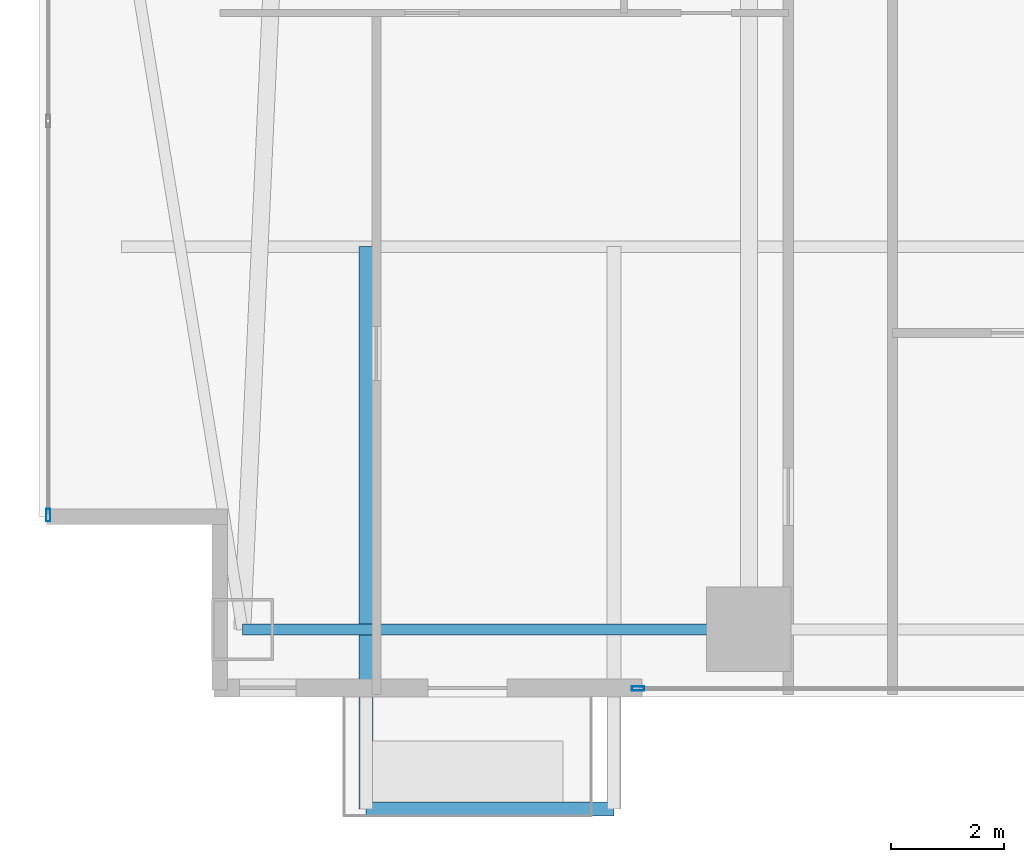
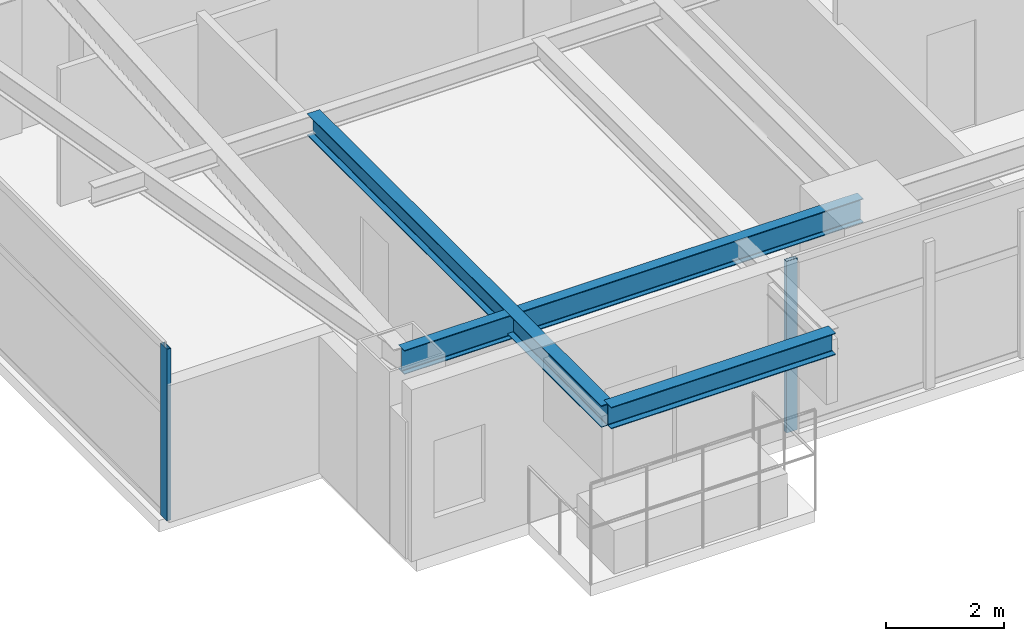
# One storey, part 2 of 30: 3 beams, 2 members, 2 elements without a shape of their own.
"""IFC4 building model written with IfcOpenShell, lengths in metres."""

import ifcopenshell
import ifcopenshell.guid

model = None  # the IFC model being written
_history = None  # IfcOwnerHistory: only IFC2X3 demands one
_inside = {}  # id of a spatial element -> (the spatial element, [elements in it])
_under = {}  # id of a project, library or spatial element -> (it, [spatial elements below it])
_declared = {}  # id of a project -> (the project, [libraries it declares])
_typed = {}  # id of a type object -> (the type object, [elements of that type])
_made_of = {}  # id of a material, layer set ... -> (it, [elements and type objects made of it])


def new_model(schema):
    """Start an empty IFC model of exactly this schema.

    Asked for "IFC4X3", IfcOpenShell would pick the latest addendum, in which some entities
    have other attributes; the version numbers below select the first issue.
    IFC2X3 requires an IfcOwnerHistory on every rooted entity: one is made here for all.
    """
    global model, _history
    if schema == "IFC4X3":
        model = ifcopenshell.file(schema_version=(4, 3, 0, 0))
    else:
        model = ifcopenshell.file(schema=schema)
    _inside.clear()
    _under.clear()
    _declared.clear()
    _typed.clear()
    _made_of.clear()
    _history = None
    if model.schema == "IFC2X3":
        org = make("IfcOrganization", Name="unknown")
        user = make(
            "IfcPersonAndOrganization",
            ThePerson=make("IfcPerson", FamilyName="unknown"),
            TheOrganization=org,
        )
        app = make(
            "IfcApplication",
            ApplicationDeveloper=org,
            Version="unknown",
            ApplicationFullName="unknown",
            ApplicationIdentifier="unknown",
        )
        _history = make(
            "IfcOwnerHistory",
            OwningUser=user,
            OwningApplication=app,
            ChangeAction="ADDED",
            CreationDate=0,
        )
    return model


def make(cls, **values):
    """One entity of the class cls with the attributes given. An attribute that is None is left unset."""
    return model.create_entity(
        cls, **{name: value for name, value in values.items() if value is not None}
    )


def rooted(cls, **values):
    """An entity with a GlobalId (a new one), such as an element, a storey or a relation."""
    return make(cls, GlobalId=ifcopenshell.guid.new(), OwnerHistory=_history, **values)


def si_unit(unit_type, name, prefix=None):
    """IfcSIUnit, for example si_unit("LENGTHUNIT", "METRE", prefix="MILLI")."""
    return make("IfcSIUnit", UnitType=unit_type, Prefix=prefix, Name=name)


def assignment(units):
    """IfcUnitAssignment: the units of a project."""
    return None if units is None else make("IfcUnitAssignment", Units=units)


def point(xyz):
    """IfcCartesianPoint."""
    return None if xyz is None else make("IfcCartesianPoint", Coordinates=xyz)


def direction(xyz):
    """IfcDirection."""
    return None if xyz is None else make("IfcDirection", DirectionRatios=xyz)


def frame(location, z_axis=None, x_axis=None):
    """IfcAxis2Placement3D, a coordinate frame: its origin and axes. An axis left out is left unset."""
    return make(
        "IfcAxis2Placement3D",
        Location=point(location),
        Axis=direction(z_axis),
        RefDirection=direction(x_axis),
    )


def frame_2d(location, x_axis=None):
    """IfcAxis2Placement2D, a coordinate frame in the plane: its origin and x axis."""
    return make(
        "IfcAxis2Placement2D", Location=point(location), RefDirection=direction(x_axis)
    )


def origin():
    """The frame at (0, 0, 0) with its axes left unset."""
    return frame((0.0, 0.0, 0.0))


def origin_2d():
    """The frame at (0, 0) in the plane with its x axis left unset."""
    return frame_2d((0.0, 0.0))


def place(relative_to, where):
    """IfcLocalPlacement: puts the frame where relative to a parent placement (None: the world)."""
    return make(
        "IfcLocalPlacement", PlacementRelTo=relative_to, RelativePlacement=where
    )


def context(
    kind, dimensions, precision=None, world=None, true_north=None, identifier=None
):
    """IfcGeometricRepresentationContext, for example the 3D "Model" context."""
    return make(
        "IfcGeometricRepresentationContext",
        ContextIdentifier=identifier,
        ContextType=kind,
        CoordinateSpaceDimension=dimensions,
        Precision=precision,
        WorldCoordinateSystem=world,
        TrueNorth=true_north,
    )


def subcontext(parent, identifier, kind, view, scale=None):
    """IfcGeometricRepresentationSubContext, for example "Body" below "Model"."""
    return make(
        "IfcGeometricRepresentationSubContext",
        ContextIdentifier=identifier,
        ContextType=kind,
        ParentContext=parent,
        TargetScale=scale,
        TargetView=view,
    )


def project(units=None, contexts=None):
    """IfcProject with its units and contexts."""
    return rooted(
        "IfcProject",
        Name="project",
        RepresentationContexts=contexts,
        UnitsInContext=assignment(units),
    )


def spatial(cls, under=None, at=None, **own):
    """A site, building, storey or space (cls), placed at a placement, below another one or the project."""
    s = rooted(cls, ObjectPlacement=at, **own)
    if under is not None:
        _under.setdefault(under.id(), (under, []))[1].append(s)
    return s


def profile(cls, at=None, kind="AREA", **sizes):
    """A parametric profile (cls). Its sizes go by their IFC names, for example OverallWidth=200.0."""
    return make(cls, ProfileType=kind, Position=at, **sizes)


def hollow_rectangle(**sizes):
    """IfcRectangleHollowProfileDef."""
    return profile("IfcRectangleHollowProfileDef", **sizes)


def i_section(**sizes):
    """IfcIShapeProfileDef."""
    return profile("IfcIShapeProfileDef", **sizes)


def extrude(swept, where, along, depth):
    """IfcExtrudedAreaSolid: the profile swept, set in the frame where, extruded along a direction by depth."""
    return make(
        "IfcExtrudedAreaSolid",
        SweptArea=swept,
        Position=where,
        ExtrudedDirection=direction(along),
        Depth=depth,
    )


def shape(context_of_items, identifier, shape_type, items):
    """IfcShapeRepresentation: the items that make up one representation, for example the "Body"."""
    return make(
        "IfcShapeRepresentation",
        ContextOfItems=context_of_items,
        RepresentationIdentifier=identifier,
        RepresentationType=shape_type,
        Items=items,
    )


def material(Name=None, Category=None):
    """IfcMaterial."""
    return make("IfcMaterial", Name=Name, Category=Category)


def layer(
    of_material, thickness, ventilated=None, Name=None, Category=None, Priority=None
):
    """IfcMaterialLayer: one layer of a wall or slab, of a material (None: an air gap)."""
    return make(
        "IfcMaterialLayer",
        Material=of_material,
        LayerThickness=thickness,
        IsVentilated=ventilated,
        Name=Name,
        Category=Category,
        Priority=Priority,
    )


def layer_set(layers, Name=None):
    """IfcMaterialLayerSet."""
    return make("IfcMaterialLayerSet", MaterialLayers=layers, LayerSetName=Name)


def material_profile(
    of_material, cross_section, Name=None, Category=None, Priority=None
):
    """IfcMaterialProfile: a cross section and its material."""
    return make(
        "IfcMaterialProfile",
        Name=Name,
        Material=of_material,
        Profile=cross_section,
        Priority=Priority,
        Category=Category,
    )


def profile_set(profiles, Name=None, composite=None):
    """IfcMaterialProfileSet."""
    return make(
        "IfcMaterialProfileSet",
        Name=Name,
        MaterialProfiles=profiles,
        CompositeProfile=composite,
    )


def made_of(thing, what):
    """Note that an element or type object is made of a material, layer set ...; save() writes the relation."""
    if what is not None:
        _made_of.setdefault(what.id(), (what, []))[1].append(thing)
    return thing


def type_object(cls, material=None, **own):
    """A type object (cls), such as IfcWallType, which elements share."""
    return made_of(rooted(cls, **own), material)


def element(
    cls,
    number,
    at=None,
    inside=None,
    cuts=None,
    type_object=None,
    material=None,
    context=None,
    identifier="Body",
    shape_type=None,
    held_by="IfcProductDefinitionShape",
    body=None,
    shapes=None,
    **own,
):
    """One element of the class cls, such as IfcWall. Its Tag is "e" and its number.

    at: its placement. inside: the storey or other place that contains it. cuts: it is an
    opening in that element (IfcRelVoidsElement). A single representation is given by context,
    identifier, shape_type and body (its items); several are given by shapes. held_by: the class
    of the entity that holds the representations. save() writes the other relations.
    """
    e = rooted(cls, Tag="e%d" % number, ObjectPlacement=at, **own)
    if body is not None:
        shapes = [shape(context, identifier, shape_type, body)]
    if shapes is not None:
        e.Representation = make(held_by, Representations=shapes)
    if inside is not None:
        _inside.setdefault(inside.id(), (inside, []))[1].append(e)
    if cuts is not None:
        rooted(
            "IfcRelVoidsElement", RelatingBuildingElement=cuts, RelatedOpeningElement=e
        )
    if type_object is not None:
        _typed.setdefault(type_object.id(), (type_object, []))[1].append(e)
    return made_of(e, material)


def aggregate(whole, parts):
    """IfcRelAggregates: a whole, such as a stair, and the parts it consists of."""
    return rooted("IfcRelAggregates", RelatingObject=whole, RelatedObjects=parts)


def save(model, path):
    """Write the relations noted so far, then the file.

    IfcRelAggregates (storeys below a building ...), IfcRelContainedInSpatialStructure (elements
    in a storey), IfcRelDefinesByType, IfcRelAssociatesMaterial and IfcRelDeclares: one each for
    every whole, place, type object, material and project.
    """
    for whole, parts in _under.values():
        aggregate(whole, parts)
    for where, things in _inside.values():
        rooted(
            "IfcRelContainedInSpatialStructure",
            RelatedElements=things,
            RelatingStructure=where,
        )
    for kind, things in _typed.values():
        rooted("IfcRelDefinesByType", RelatedObjects=things, RelatingType=kind)
    for what, things in _made_of.values():
        rooted("IfcRelAssociatesMaterial", RelatedObjects=things, RelatingMaterial=what)
    for by, libraries in _declared.values():
        rooted("IfcRelDeclares", RelatingContext=by, RelatedDefinitions=libraries)
    model.write(path)


model = new_model("IFC4")

# Units and contexts
model_context = context("Model", 3, precision=1e-05, world=origin(), true_north=direction((0.0, 1.0)))
body_context = subcontext(model_context, "Body", "Model", "MODEL_VIEW")
ifc_project = project(units=[si_unit("LENGTHUNIT", "METRE"), si_unit("AREAUNIT", "SQUARE_METRE"), si_unit("VOLUMEUNIT", "CUBIC_METRE"), si_unit("PLANEANGLEUNIT", "RADIAN"), si_unit("MASSUNIT", "GRAM", prefix="KILO")], contexts=[model_context])

# Site, building, storey
site_placement = place(None, origin())
site = spatial("IfcSite", under=ifc_project, at=site_placement, CompositionType="ELEMENT")
building_placement = place(site_placement, origin())
building = spatial("IfcBuilding", under=site, at=building_placement, Name="Calvorn Quay Hotel", CompositionType="ELEMENT")
storey_placement = place(building_placement, frame((0.0, 0.0, 54.60009765625)))
storey = spatial("IfcBuildingStorey", under=building, at=storey_placement, Name="L12", CompositionType="ELEMENT", Elevation=54.60009765625)

# Beams
ifc_material_1 = material(Name="Steel Q355B", Category="steel")
ifc_material_profile_1 = material_profile(ifc_material_1, i_section(OverallWidth=0.25, OverallDepth=0.449951171875, WebThickness=0.011962890625, FlangeThickness=0.01611328125, FilletRadius=0.01611328125, at=origin_2d()), Name="HN450x250x12x16")
ifc_profile_set_1 = profile_set([ifc_material_profile_1], Name="Steel Q355B")
beam_type_1 = type_object("IfcBeamType", Name="BM-CANT-BALC", PredefinedType="BEAM", material=ifc_profile_set_1)
beam_1_placement = place(storey_placement, frame((5.800048828125, 10.39990234375, 3.31494140625), z_axis=(0.0, -1.0, 0.0), x_axis=(1.0, 0.0, 0.0)))
element("IfcBeam", 1, at=beam_1_placement, inside=storey, type_object=beam_type_1, Name="Cantilever Balcony Beam BCB-L13-2A", PredefinedType="BEAM", context=body_context, shape_type="SweptSolid", body=[
    extrude(i_section(OverallWidth=0.25, OverallDepth=0.449951171875, WebThickness=0.011962890625, FlangeThickness=0.01611328125, FilletRadius=0.01611328125, at=origin_2d()), origin(), (0.0, 0.0, 1.0), 9.989990234375),
])
beam_2_placement = place(storey_placement, frame((5.800048828125, 0.409912109375, 3.31494140625), z_axis=(1.0, 0.0, 0.0), x_axis=(0.0, 1.0, 0.0)))
element("IfcBeam", 2, at=beam_2_placement, inside=storey, type_object=beam_type_1, Name="Beam BCBO-L13-2", PredefinedType="BEAM", context=body_context, shape_type="SweptSolid", body=[
    extrude(i_section(OverallWidth=0.25, OverallDepth=0.449951171875, WebThickness=0.011962890625, FlangeThickness=0.01611328125, FilletRadius=0.01611328125, at=origin_2d()), origin(), (0.0, 0.0, 1.0), 4.39990234375),
])
ifc_material_2 = material(Name="Steel Q355B", Category="steel")
ifc_material_profile_2 = material_profile(ifc_material_2, i_section(OverallWidth=0.199951171875, OverallDepth=0.5, WebThickness=0.010009765625, FlangeThickness=0.01611328125, FilletRadius=0.01611328125, at=origin_2d()), Name="HN500x200x10x16")
ifc_profile_set_2 = profile_set([ifc_material_profile_2], Name="Steel Q355B")
beam_type_2 = type_object("IfcBeamType", Name="BM-SPANDREL-Z1", PredefinedType="SPANDREL", material=ifc_profile_set_2)
beam_3_placement = place(storey_placement, frame((3.60009765625, 3.60009765625, 3.289794921875), z_axis=(1.0, 0.0, 0.0), x_axis=(0.0, 1.0, 0.0)))
element("IfcBeam", 3, at=beam_3_placement, inside=storey, type_object=beam_type_2, Name="Beam BSP-L12-S1", PredefinedType="SPANDREL", context=body_context, shape_type="SweptSolid", body=[
    extrude(i_section(OverallWidth=0.199951171875, OverallDepth=0.5, WebThickness=0.010009765625, FlangeThickness=0.01611328125, FilletRadius=0.01611328125, at=origin_2d()), origin(), (0.0, 0.0, 1.0), 9.0),
])

# Curtain wall, member
ifc_material_3 = material(Name="Pale Anodised Aluminium and Low-E Glass", Category="aluminium")
ifc_layer = layer(ifc_material_3, 0.219970703125)
ifc_layer_set = layer_set([ifc_layer], Name="CW-SYS-Z1")
curtain_wall_type = type_object("IfcCurtainWallType", Name="CW-SYS-Z1", PredefinedType="NOTDEFINED", material=ifc_layer_set)
curtain_wall_1_placement = place(storey_placement, origin())
curtain_wall_1 = element("IfcCurtainWall", 4, at=curtain_wall_1_placement, inside=storey, type_object=curtain_wall_type, Name="Tower West Curtain Wall (L12)", PredefinedType="NOTDEFINED")
ifc_material_4 = material(Name="Pale Anodised Aluminium 6063-T6", Category="aluminium")
ifc_material_profile_3 = material_profile(ifc_material_4, hollow_rectangle(XDim=0.074951171875, YDim=0.219970703125, WallThickness=0.00439453125, at=origin_2d()), Name="ALU-M220x75x4.5")
ifc_profile_set_3 = profile_set([ifc_material_profile_3], Name="Pale Anodised Aluminium 6063-T6")
member_type = type_object("IfcMemberType", Name="CW-SYS-Z1-MUL", PredefinedType="MULLION", material=ifc_profile_set_3)
member_1_placement = place(storey_placement, frame((0.14990234375, 5.6298828125, 0.0), z_axis=(0.0, 0.0, 1.0), x_axis=(-1.0, 0.0, 0.0)))
member_1 = element("IfcMember", 5, at=member_1_placement, type_object=member_type, Name="CW-L12-W mullion 1", PredefinedType="MULLION", context=body_context, shape_type="SweptSolid", body=[
    extrude(hollow_rectangle(XDim=0.074951171875, YDim=0.219970703125, WallThickness=0.00439453125, at=origin_2d()), origin(), (0.0, 0.0, 1.0), 3.559814453125),
])
aggregate(curtain_wall_1, [member_1])

curtain_wall_2_placement = place(storey_placement, origin())
curtain_wall_2 = element("IfcCurtainWall", 6, at=curtain_wall_2_placement, inside=storey, type_object=curtain_wall_type, Name="Tower South Waterfront Curtain Wall (L12)", PredefinedType="NOTDEFINED")
member_2_placement = place(storey_placement, frame((10.6298828125, 2.550048828125, 0.0), z_axis=(0.0, 0.0, 1.0), x_axis=(0.0, 1.0, 0.0)))
member_2 = element("IfcMember", 7, at=member_2_placement, type_object=member_type, Name="CW-L12-S mullion 1", PredefinedType="MULLION", context=body_context, shape_type="SweptSolid", body=[
    extrude(hollow_rectangle(XDim=0.074951171875, YDim=0.219970703125, WallThickness=0.00439453125, at=origin_2d()), origin(), (0.0, 0.0, 1.0), 3.559814453125),
])
aggregate(curtain_wall_2, [member_2])

save(model, "model.ifc")
